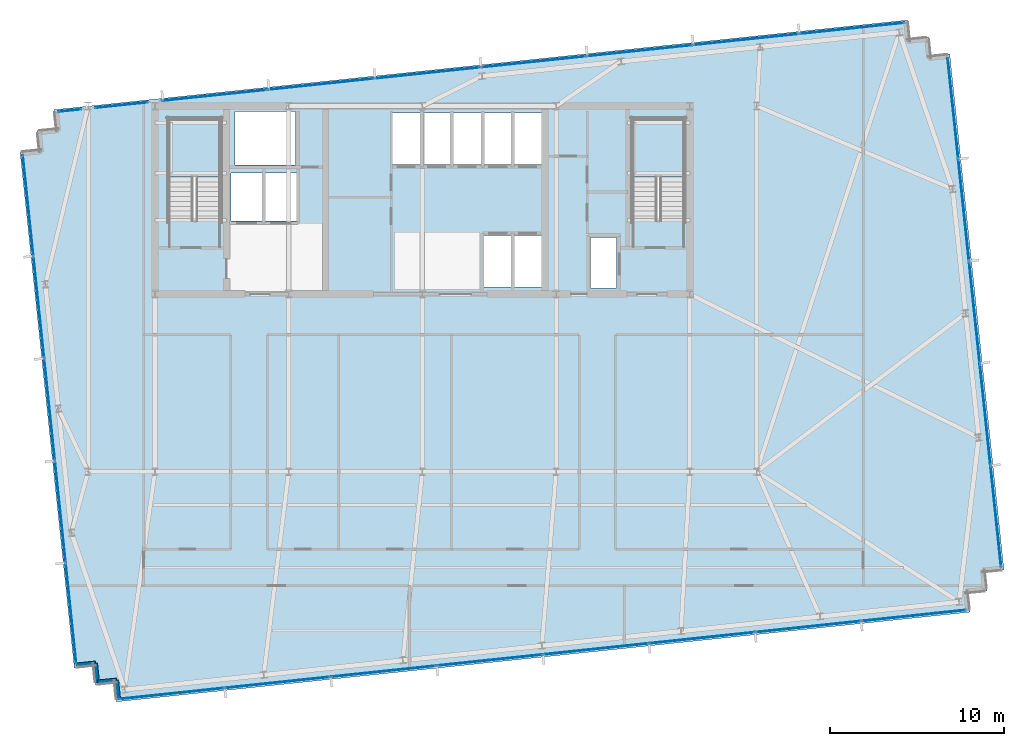
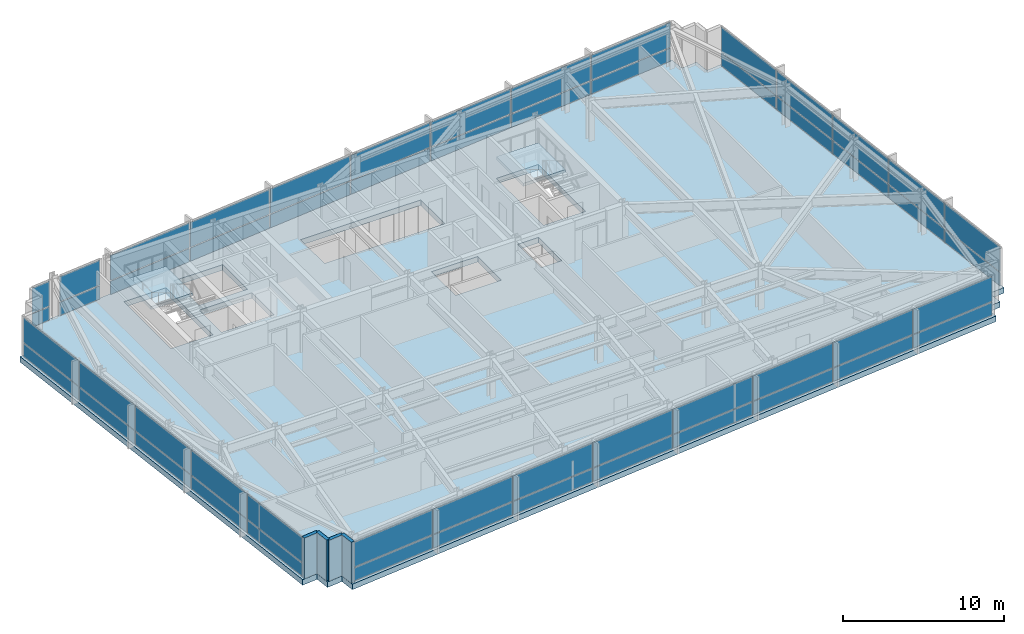
# One storey, part 19 of 26: 54 plates, 4 walls, 3 slabs, 8 elements without a shape of their own.
"""IFC4 building model written with IfcOpenShell, lengths in metres."""

from ifc_helpers import new_model, si_unit, direction, frame, frame_2d, origin, origin_2d, place, context, subcontext, project, spatial, polyline, rectangle, outline, extrude, material, layer, layer_set, type_object, element, aggregate, save


model = new_model("IFC4")

# Units and contexts
model_context = context("Model", 3, precision=1e-05, world=origin(), true_north=direction((0.0, 1.0)))
body_context = subcontext(model_context, "Body", "Model", "MODEL_VIEW")
ifc_project = project(units=[si_unit("LENGTHUNIT", "METRE"), si_unit("AREAUNIT", "SQUARE_METRE"), si_unit("VOLUMEUNIT", "CUBIC_METRE"), si_unit("PLANEANGLEUNIT", "RADIAN"), si_unit("MASSUNIT", "GRAM", prefix="KILO")], contexts=[model_context])

# Site, building, storey
site_placement = place(None, origin())
site = spatial("IfcSite", under=ifc_project, at=site_placement, CompositionType="ELEMENT")
building_placement = place(site_placement, origin())
building = spatial("IfcBuilding", under=site, at=building_placement, Name="Yelkora Congress Tower", CompositionType="ELEMENT")
storey_placement = place(building_placement, frame((0.0, 0.0, 204.5)))
storey = spatial("IfcBuildingStorey", under=building, at=storey_placement, Name="L56", CompositionType="ELEMENT", Elevation=204.5)

# Curtain wall, plates
ifc_material_1 = material(Name="Anodised aluminium and insulated glass", Category="aluminium")
curtain_wall_type = type_object("IfcCurtainWallType", Name="CW-SYS-SKY", PredefinedType="NOTDEFINED", material=ifc_material_1)
curtain_wall_1_placement = place(storey_placement, origin())
curtain_wall_1 = element("IfcCurtainWall", 1, at=curtain_wall_1_placement, inside=storey, type_object=curtain_wall_type, Name="L56 Unitised Curtain Wall 5", PredefinedType="NOTDEFINED")
ifc_material_2 = material(Name="Structural laminated sky-lobby glass", Category="glass")
ifc_layer_1 = layer(ifc_material_2, 0.048095703125)
ifc_layer_set_1 = layer_set([ifc_layer_1], Name="Structural laminated sky-lobby glass")
plate_type = type_object("IfcPlateType", Name="PLT-PN-SKY", PredefinedType="CURTAIN_PANEL", material=ifc_layer_set_1)
plate_1_placement = place(storey_placement, frame((18.216064453125, 17.041015625, 0.06982421875), z_axis=(0.0, 0.0, 1.0), x_axis=(-0.104526079034, 0.994522145958, 0.0)))
plate_1 = element("IfcPlate", 2, at=plate_1_placement, type_object=plate_type, Name="CW-SKY panel 1.1", PredefinedType="CURTAIN_PANEL", context=body_context, shape_type="SweptSolid", body=[
    extrude(rectangle(XDim=5.79150390625, YDim=0.048095703125, at=origin_2d()), origin(), (0.0, 0.0, 1.0), 0.9951171875),
])
plate_2_placement = place(storey_placement, frame((18.216064453125, 17.041015625, 1.135009765625), z_axis=(0.0, 0.0, 1.0), x_axis=(-0.104526079034, 0.994522145958, 0.0)))
plate_2 = element("IfcPlate", 3, at=plate_2_placement, type_object=plate_type, Name="CW-SKY panel 1.2", PredefinedType="CURTAIN_PANEL", context=body_context, shape_type="SweptSolid", body=[
    extrude(rectangle(XDim=5.79150390625, YDim=0.048095703125, at=origin_2d()), origin(), (0.0, 0.0, 1.0), 1.875),
])
plate_3_placement = place(storey_placement, frame((17.60107421875, 22.89404296875, 0.06982421875), z_axis=(0.0, 0.0, 1.0), x_axis=(-0.104526079034, 0.994522145958, 0.0)))
plate_3 = element("IfcPlate", 4, at=plate_3_placement, type_object=plate_type, Name="CW-SKY panel 2.1", PredefinedType="CURTAIN_PANEL", context=body_context, shape_type="SweptSolid", body=[
    extrude(rectangle(XDim=5.8291015625, YDim=0.048095703125, at=origin_2d()), origin(), (0.0, 0.0, 1.0), 0.9951171875),
])
plate_4_placement = place(storey_placement, frame((17.60107421875, 22.89404296875, 1.135009765625), z_axis=(0.0, 0.0, 1.0), x_axis=(-0.104526079034, 0.994522145958, 0.0)))
plate_4 = element("IfcPlate", 5, at=plate_4_placement, type_object=plate_type, Name="CW-SKY panel 2.2", PredefinedType="CURTAIN_PANEL", context=body_context, shape_type="SweptSolid", body=[
    extrude(rectangle(XDim=5.8291015625, YDim=0.048095703125, at=origin_2d()), origin(), (0.0, 0.0, 1.0), 1.875),
])
plate_5_placement = place(storey_placement, frame((16.98388671875, 28.765625, 0.06982421875), z_axis=(0.0, 0.0, 1.0), x_axis=(-0.104526079034, 0.994522145958, 0.0)))
plate_5 = element("IfcPlate", 6, at=plate_5_placement, type_object=plate_type, Name="CW-SKY panel 3.1", PredefinedType="CURTAIN_PANEL", context=body_context, shape_type="SweptSolid", body=[
    extrude(rectangle(XDim=5.8291015625, YDim=0.048095703125, at=origin_2d()), origin(), (0.0, 0.0, 1.0), 0.9951171875),
])
plate_6_placement = place(storey_placement, frame((16.98388671875, 28.765625, 1.135009765625), z_axis=(0.0, 0.0, 1.0), x_axis=(-0.104526079034, 0.994522145958, 0.0)))
plate_6 = element("IfcPlate", 7, at=plate_6_placement, type_object=plate_type, Name="CW-SKY panel 3.2", PredefinedType="CURTAIN_PANEL", context=body_context, shape_type="SweptSolid", body=[
    extrude(rectangle(XDim=5.8291015625, YDim=0.048095703125, at=origin_2d()), origin(), (0.0, 0.0, 1.0), 1.875),
])
plate_7_placement = place(storey_placement, frame((16.36669921875, 34.63720703125, 0.06982421875), z_axis=(0.0, 0.0, 1.0), x_axis=(-0.104526079034, 0.994522145958, 0.0)))
plate_7 = element("IfcPlate", 8, at=plate_7_placement, type_object=plate_type, Name="CW-SKY panel 4.1", PredefinedType="CURTAIN_PANEL", context=body_context, shape_type="SweptSolid", body=[
    extrude(rectangle(XDim=5.8291015625, YDim=0.048095703125, at=origin_2d()), origin(), (0.0, 0.0, 1.0), 0.9951171875),
])
plate_8_placement = place(storey_placement, frame((16.36669921875, 34.63720703125, 1.135009765625), z_axis=(0.0, 0.0, 1.0), x_axis=(-0.104526079034, 0.994522145958, 0.0)))
plate_8 = element("IfcPlate", 9, at=plate_8_placement, type_object=plate_type, Name="CW-SKY panel 4.2", PredefinedType="CURTAIN_PANEL", context=body_context, shape_type="SweptSolid", body=[
    extrude(rectangle(XDim=5.8291015625, YDim=0.048095703125, at=origin_2d()), origin(), (0.0, 0.0, 1.0), 1.875),
])
plate_9_placement = place(storey_placement, frame((15.751708984375, 40.490234375, 0.06982421875), z_axis=(0.0, 0.0, 1.0), x_axis=(-0.104526079034, 0.994522145958, 0.0)))
plate_9 = element("IfcPlate", 10, at=plate_9_placement, type_object=plate_type, Name="CW-SKY panel 5.1", PredefinedType="CURTAIN_PANEL", context=body_context, shape_type="SweptSolid", body=[
    extrude(rectangle(XDim=5.79150390625, YDim=0.048095703125, at=origin_2d()), origin(), (0.0, 0.0, 1.0), 0.9951171875),
])
plate_10_placement = place(storey_placement, frame((15.751708984375, 40.490234375, 1.135009765625), z_axis=(0.0, 0.0, 1.0), x_axis=(-0.104526079034, 0.994522145958, 0.0)))
plate_10 = element("IfcPlate", 11, at=plate_10_placement, type_object=plate_type, Name="CW-SKY panel 5.2", PredefinedType="CURTAIN_PANEL", context=body_context, shape_type="SweptSolid", body=[
    extrude(rectangle(XDim=5.79150390625, YDim=0.048095703125, at=origin_2d()), origin(), (0.0, 0.0, 1.0), 1.875),
])
aggregate(curtain_wall_1, [plate_1, plate_2, plate_3, plate_4, plate_5, plate_6, plate_7, plate_8, plate_9, plate_10])

curtain_wall_2_placement = place(storey_placement, origin())
curtain_wall_2 = element("IfcCurtainWall", 12, at=curtain_wall_2_placement, inside=storey, type_object=curtain_wall_type, Name="L56 Unitised Curtain Wall 10 (1)", PredefinedType="NOTDEFINED")
plate_11_placement = place(storey_placement, frame((18.135009765625, 45.93994140625, 0.06982421875), z_axis=(0.0, 0.0, 1.0), x_axis=(0.994522838892, 0.104519485853, 0.0)))
plate_11 = element("IfcPlate", 13, at=plate_11_placement, type_object=plate_type, Name="CW-SKY panel 1.1", PredefinedType="CURTAIN_PANEL", context=body_context, shape_type="SweptSolid", body=[
    extrude(rectangle(XDim=1.330078125, YDim=0.048095703125, at=origin_2d()), origin(), (0.0, 0.0, 1.0), 0.9951171875),
])
plate_12_placement = place(storey_placement, frame((18.135009765625, 45.93994140625, 1.135009765625), z_axis=(0.0, 0.0, 1.0), x_axis=(0.994522838892, 0.104519485853, 0.0)))
plate_12 = element("IfcPlate", 14, at=plate_12_placement, type_object=plate_type, Name="CW-SKY panel 1.2", PredefinedType="CURTAIN_PANEL", context=body_context, shape_type="SweptSolid", body=[
    extrude(rectangle(XDim=1.330078125, YDim=0.048095703125, at=origin_2d()), origin(), (0.0, 0.0, 1.0), 1.875),
])
aggregate(curtain_wall_2, [plate_11, plate_12])

curtain_wall_3_placement = place(storey_placement, origin())
curtain_wall_3 = element("IfcCurtainWall", 15, at=curtain_wall_3_placement, inside=storey, type_object=curtain_wall_type, Name="L56 Unitised Curtain Wall 10 (2)", PredefinedType="NOTDEFINED")
plate_13_placement = place(storey_placement, frame((21.1201171875, 46.253662109375, 0.06982421875), z_axis=(0.0, 0.0, 1.0), x_axis=(0.994523249402, 0.104515579693, 0.0)))
plate_13 = element("IfcPlate", 16, at=plate_13_placement, type_object=plate_type, Name="CW-SKY panel 1.1", PredefinedType="CURTAIN_PANEL", context=body_context, shape_type="SweptSolid", body=[
    extrude(rectangle(XDim=3.049560546875, YDim=0.048095703125, at=origin_2d()), origin(), (0.0, 0.0, 1.0), 0.9951171875),
])
plate_14_placement = place(storey_placement, frame((21.1201171875, 46.253662109375, 1.135009765625), z_axis=(0.0, 0.0, 1.0), x_axis=(0.994523249402, 0.104515579693, 0.0)))
plate_14 = element("IfcPlate", 17, at=plate_14_placement, type_object=plate_type, Name="CW-SKY panel 1.2", PredefinedType="CURTAIN_PANEL", context=body_context, shape_type="SweptSolid", body=[
    extrude(rectangle(XDim=3.049560546875, YDim=0.048095703125, at=origin_2d()), origin(), (0.0, 0.0, 1.0), 1.875),
])
aggregate(curtain_wall_3, [plate_13, plate_14])

curtain_wall_4_placement = place(storey_placement, origin())
curtain_wall_4 = element("IfcCurtainWall", 18, at=curtain_wall_4_placement, inside=storey, type_object=curtain_wall_type, Name="L56 Unitised Curtain Wall 10 (3)", PredefinedType="NOTDEFINED")
plate_15_placement = place(storey_placement, frame((26.443359375, 46.813232421875, 0.06982421875), z_axis=(0.0, 0.0, 1.0), x_axis=(0.994521936066, 0.104528076052, 0.0)))
plate_15 = element("IfcPlate", 19, at=plate_15_placement, type_object=plate_type, Name="CW-SKY panel 1.1", PredefinedType="CURTAIN_PANEL", context=body_context, shape_type="SweptSolid", body=[
    extrude(rectangle(XDim=6.03271484375, YDim=0.048095703125, at=origin_2d()), origin(), (0.0, 0.0, 1.0), 0.9951171875),
])
plate_16_placement = place(storey_placement, frame((26.443359375, 46.813232421875, 1.135009765625), z_axis=(0.0, 0.0, 1.0), x_axis=(0.994521936066, 0.104528076052, 0.0)))
plate_16 = element("IfcPlate", 20, at=plate_16_placement, type_object=plate_type, Name="CW-SKY panel 1.2", PredefinedType="CURTAIN_PANEL", context=body_context, shape_type="SweptSolid", body=[
    extrude(rectangle(XDim=6.03271484375, YDim=0.048095703125, at=origin_2d()), origin(), (0.0, 0.0, 1.0), 1.875),
])
plate_17_placement = place(storey_placement, frame((32.536376953125, 47.45361328125, 0.06982421875), z_axis=(0.0, 0.0, 1.0), x_axis=(0.994521936066, 0.104528076052, 0.0)))
plate_17 = element("IfcPlate", 21, at=plate_17_placement, type_object=plate_type, Name="CW-SKY panel 2.1", PredefinedType="CURTAIN_PANEL", context=body_context, shape_type="SweptSolid", body=[
    extrude(rectangle(XDim=6.0703125, YDim=0.048095703125, at=origin_2d()), origin(), (0.0, 0.0, 1.0), 0.9951171875),
])
plate_18_placement = place(storey_placement, frame((32.536376953125, 47.45361328125, 1.135009765625), z_axis=(0.0, 0.0, 1.0), x_axis=(0.994521936066, 0.104528076052, 0.0)))
plate_18 = element("IfcPlate", 22, at=plate_18_placement, type_object=plate_type, Name="CW-SKY panel 2.2", PredefinedType="CURTAIN_PANEL", context=body_context, shape_type="SweptSolid", body=[
    extrude(rectangle(XDim=6.0703125, YDim=0.048095703125, at=origin_2d()), origin(), (0.0, 0.0, 1.0), 1.875),
])
plate_19_placement = place(storey_placement, frame((38.648193359375, 48.095947265625, 0.06982421875), z_axis=(0.0, 0.0, 1.0), x_axis=(0.994521936066, 0.104528076052, 0.0)))
plate_19 = element("IfcPlate", 23, at=plate_19_placement, type_object=plate_type, Name="CW-SKY panel 3.1", PredefinedType="CURTAIN_PANEL", context=body_context, shape_type="SweptSolid", body=[
    extrude(rectangle(XDim=6.0703125, YDim=0.048095703125, at=origin_2d()), origin(), (0.0, 0.0, 1.0), 0.9951171875),
])
plate_20_placement = place(storey_placement, frame((38.648193359375, 48.095947265625, 1.135009765625), z_axis=(0.0, 0.0, 1.0), x_axis=(0.994521936066, 0.104528076052, 0.0)))
plate_20 = element("IfcPlate", 24, at=plate_20_placement, type_object=plate_type, Name="CW-SKY panel 3.2", PredefinedType="CURTAIN_PANEL", context=body_context, shape_type="SweptSolid", body=[
    extrude(rectangle(XDim=6.0703125, YDim=0.048095703125, at=origin_2d()), origin(), (0.0, 0.0, 1.0), 1.875),
])
plate_21_placement = place(storey_placement, frame((44.759765625, 48.73828125, 0.06982421875), z_axis=(0.0, 0.0, 1.0), x_axis=(0.994521936066, 0.104528076052, 0.0)))
plate_21 = element("IfcPlate", 25, at=plate_21_placement, type_object=plate_type, Name="CW-SKY panel 4.1", PredefinedType="CURTAIN_PANEL", context=body_context, shape_type="SweptSolid", body=[
    extrude(rectangle(XDim=6.0703125, YDim=0.048095703125, at=origin_2d()), origin(), (0.0, 0.0, 1.0), 0.9951171875),
])
plate_22_placement = place(storey_placement, frame((44.759765625, 48.73828125, 1.135009765625), z_axis=(0.0, 0.0, 1.0), x_axis=(0.994521936066, 0.104528076052, 0.0)))
plate_22 = element("IfcPlate", 26, at=plate_22_placement, type_object=plate_type, Name="CW-SKY panel 4.2", PredefinedType="CURTAIN_PANEL", context=body_context, shape_type="SweptSolid", body=[
    extrude(rectangle(XDim=6.0703125, YDim=0.048095703125, at=origin_2d()), origin(), (0.0, 0.0, 1.0), 1.875),
])
plate_23_placement = place(storey_placement, frame((50.871337890625, 49.380615234375, 0.06982421875), z_axis=(0.0, 0.0, 1.0), x_axis=(0.994521936066, 0.104528076052, 0.0)))
plate_23 = element("IfcPlate", 27, at=plate_23_placement, type_object=plate_type, Name="CW-SKY panel 5.1", PredefinedType="CURTAIN_PANEL", context=body_context, shape_type="SweptSolid", body=[
    extrude(rectangle(XDim=6.0703125, YDim=0.048095703125, at=origin_2d()), origin(), (0.0, 0.0, 1.0), 0.9951171875),
])
plate_24_placement = place(storey_placement, frame((50.871337890625, 49.380615234375, 1.135009765625), z_axis=(0.0, 0.0, 1.0), x_axis=(0.994521936066, 0.104528076052, 0.0)))
plate_24 = element("IfcPlate", 28, at=plate_24_placement, type_object=plate_type, Name="CW-SKY panel 5.2", PredefinedType="CURTAIN_PANEL", context=body_context, shape_type="SweptSolid", body=[
    extrude(rectangle(XDim=6.0703125, YDim=0.048095703125, at=origin_2d()), origin(), (0.0, 0.0, 1.0), 1.875),
])
plate_25_placement = place(storey_placement, frame((56.983154296875, 50.02294921875, 0.06982421875), z_axis=(0.0, 0.0, 1.0), x_axis=(0.994521936066, 0.104528076052, 0.0)))
plate_25 = element("IfcPlate", 29, at=plate_25_placement, type_object=plate_type, Name="CW-SKY panel 6.1", PredefinedType="CURTAIN_PANEL", context=body_context, shape_type="SweptSolid", body=[
    extrude(rectangle(XDim=6.0703125, YDim=0.048095703125, at=origin_2d()), origin(), (0.0, 0.0, 1.0), 0.9951171875),
])
plate_26_placement = place(storey_placement, frame((56.983154296875, 50.02294921875, 1.135009765625), z_axis=(0.0, 0.0, 1.0), x_axis=(0.994521936066, 0.104528076052, 0.0)))
plate_26 = element("IfcPlate", 30, at=plate_26_placement, type_object=plate_type, Name="CW-SKY panel 6.2", PredefinedType="CURTAIN_PANEL", context=body_context, shape_type="SweptSolid", body=[
    extrude(rectangle(XDim=6.0703125, YDim=0.048095703125, at=origin_2d()), origin(), (0.0, 0.0, 1.0), 1.875),
])
plate_27_placement = place(storey_placement, frame((63.075927734375, 50.66357421875, 0.06982421875), z_axis=(0.0, 0.0, 1.0), x_axis=(0.994521936066, 0.104528076052, 0.0)))
plate_27 = element("IfcPlate", 31, at=plate_27_placement, type_object=plate_type, Name="CW-SKY panel 7.1", PredefinedType="CURTAIN_PANEL", context=body_context, shape_type="SweptSolid", body=[
    extrude(rectangle(XDim=6.03271484375, YDim=0.048095703125, at=origin_2d()), origin(), (0.0, 0.0, 1.0), 0.9951171875),
])
plate_28_placement = place(storey_placement, frame((63.075927734375, 50.66357421875, 1.135009765625), z_axis=(0.0, 0.0, 1.0), x_axis=(0.994521936066, 0.104528076052, 0.0)))
plate_28 = element("IfcPlate", 32, at=plate_28_placement, type_object=plate_type, Name="CW-SKY panel 7.2", PredefinedType="CURTAIN_PANEL", context=body_context, shape_type="SweptSolid", body=[
    extrude(rectangle(XDim=6.03271484375, YDim=0.048095703125, at=origin_2d()), origin(), (0.0, 0.0, 1.0), 1.875),
])
aggregate(curtain_wall_4, [plate_15, plate_16, plate_17, plate_18, plate_19, plate_20, plate_21, plate_22, plate_23, plate_24, plate_25, plate_26, plate_27, plate_28])

curtain_wall_5_placement = place(storey_placement, origin())
curtain_wall_5 = element("IfcCurtainWall", 33, at=curtain_wall_5_placement, inside=storey, type_object=curtain_wall_type, Name="L56 Unitised Curtain Wall 15", PredefinedType="NOTDEFINED")
plate_29_placement = place(storey_placement, frame((68.87890625, 46.07421875, 0.06982421875), z_axis=(0.0, 0.0, 1.0), x_axis=(0.104525726898, -0.994522182968, 0.0)))
plate_29 = element("IfcPlate", 34, at=plate_29_placement, type_object=plate_type, Name="CW-SKY panel 1.1", PredefinedType="CURTAIN_PANEL", context=body_context, shape_type="SweptSolid", body=[
    extrude(rectangle(XDim=5.79150390625, YDim=0.048095703125, at=origin_2d()), origin(), (0.0, 0.0, 1.0), 0.9951171875),
])
plate_30_placement = place(storey_placement, frame((68.87890625, 46.07421875, 1.135009765625), z_axis=(0.0, 0.0, 1.0), x_axis=(0.104525726898, -0.994522182968, 0.0)))
plate_30 = element("IfcPlate", 35, at=plate_30_placement, type_object=plate_type, Name="CW-SKY panel 1.2", PredefinedType="CURTAIN_PANEL", context=body_context, shape_type="SweptSolid", body=[
    extrude(rectangle(XDim=5.79150390625, YDim=0.048095703125, at=origin_2d()), origin(), (0.0, 0.0, 1.0), 1.875),
])
plate_31_placement = place(storey_placement, frame((69.494140625, 40.22119140625, 0.06982421875), z_axis=(0.0, 0.0, 1.0), x_axis=(0.104525726898, -0.994522182968, 0.0)))
plate_31 = element("IfcPlate", 36, at=plate_31_placement, type_object=plate_type, Name="CW-SKY panel 2.1", PredefinedType="CURTAIN_PANEL", context=body_context, shape_type="SweptSolid", body=[
    extrude(rectangle(XDim=5.8291015625, YDim=0.048095703125, at=origin_2d()), origin(), (0.0, 0.0, 1.0), 0.9951171875),
])
plate_32_placement = place(storey_placement, frame((69.494140625, 40.22119140625, 1.135009765625), z_axis=(0.0, 0.0, 1.0), x_axis=(0.104525726898, -0.994522182968, 0.0)))
plate_32 = element("IfcPlate", 37, at=plate_32_placement, type_object=plate_type, Name="CW-SKY panel 2.2", PredefinedType="CURTAIN_PANEL", context=body_context, shape_type="SweptSolid", body=[
    extrude(rectangle(XDim=5.8291015625, YDim=0.048095703125, at=origin_2d()), origin(), (0.0, 0.0, 1.0), 1.875),
])
plate_33_placement = place(storey_placement, frame((70.111083984375, 34.349365234375, 0.06982421875), z_axis=(0.0, 0.0, 1.0), x_axis=(0.104525726898, -0.994522182968, 0.0)))
plate_33 = element("IfcPlate", 38, at=plate_33_placement, type_object=plate_type, Name="CW-SKY panel 3.1", PredefinedType="CURTAIN_PANEL", context=body_context, shape_type="SweptSolid", body=[
    extrude(rectangle(XDim=5.8291015625, YDim=0.048095703125, at=origin_2d()), origin(), (0.0, 0.0, 1.0), 0.9951171875),
])
plate_34_placement = place(storey_placement, frame((70.111083984375, 34.349365234375, 1.135009765625), z_axis=(0.0, 0.0, 1.0), x_axis=(0.104525726898, -0.994522182968, 0.0)))
plate_34 = element("IfcPlate", 39, at=plate_34_placement, type_object=plate_type, Name="CW-SKY panel 3.2", PredefinedType="CURTAIN_PANEL", context=body_context, shape_type="SweptSolid", body=[
    extrude(rectangle(XDim=5.8291015625, YDim=0.048095703125, at=origin_2d()), origin(), (0.0, 0.0, 1.0), 1.875),
])
plate_35_placement = place(storey_placement, frame((70.728271484375, 28.477783203125, 0.06982421875), z_axis=(0.0, 0.0, 1.0), x_axis=(0.104525726898, -0.994522182968, 0.0)))
plate_35 = element("IfcPlate", 40, at=plate_35_placement, type_object=plate_type, Name="CW-SKY panel 4.1", PredefinedType="CURTAIN_PANEL", context=body_context, shape_type="SweptSolid", body=[
    extrude(rectangle(XDim=5.8291015625, YDim=0.048095703125, at=origin_2d()), origin(), (0.0, 0.0, 1.0), 0.9951171875),
])
plate_36_placement = place(storey_placement, frame((70.728271484375, 28.477783203125, 1.135009765625), z_axis=(0.0, 0.0, 1.0), x_axis=(0.104525726898, -0.994522182968, 0.0)))
plate_36 = element("IfcPlate", 41, at=plate_36_placement, type_object=plate_type, Name="CW-SKY panel 4.2", PredefinedType="CURTAIN_PANEL", context=body_context, shape_type="SweptSolid", body=[
    extrude(rectangle(XDim=5.8291015625, YDim=0.048095703125, at=origin_2d()), origin(), (0.0, 0.0, 1.0), 1.875),
])
plate_37_placement = place(storey_placement, frame((71.343505859375, 22.624755859375, 0.06982421875), z_axis=(0.0, 0.0, 1.0), x_axis=(0.104525726898, -0.994522182968, 0.0)))
plate_37 = element("IfcPlate", 42, at=plate_37_placement, type_object=plate_type, Name="CW-SKY panel 5.1", PredefinedType="CURTAIN_PANEL", context=body_context, shape_type="SweptSolid", body=[
    extrude(rectangle(XDim=5.79150390625, YDim=0.048095703125, at=origin_2d()), origin(), (0.0, 0.0, 1.0), 0.9951171875),
])
plate_38_placement = place(storey_placement, frame((71.343505859375, 22.624755859375, 1.135009765625), z_axis=(0.0, 0.0, 1.0), x_axis=(0.104525726898, -0.994522182968, 0.0)))
plate_38 = element("IfcPlate", 43, at=plate_38_placement, type_object=plate_type, Name="CW-SKY panel 5.2", PredefinedType="CURTAIN_PANEL", context=body_context, shape_type="SweptSolid", body=[
    extrude(rectangle(XDim=5.79150390625, YDim=0.048095703125, at=origin_2d()), origin(), (0.0, 0.0, 1.0), 1.875),
])
aggregate(curtain_wall_5, [plate_29, plate_30, plate_31, plate_32, plate_33, plate_34, plate_35, plate_36, plate_37, plate_38])

curtain_wall_6_placement = place(storey_placement, origin())
curtain_wall_6 = element("IfcCurtainWall", 44, at=curtain_wall_6_placement, inside=storey, type_object=curtain_wall_type, Name="L56 Unitised Curtain Wall 20", PredefinedType="NOTDEFINED")
plate_39_placement = place(storey_placement, frame((66.63037109375, 16.93017578125, 0.06982421875), z_axis=(0.0, 0.0, 1.0), x_axis=(-0.994522084373, -0.104526664994, 0.0)))
plate_39 = element("IfcPlate", 45, at=plate_39_placement, type_object=plate_type, Name="CW-SKY panel 1.1", PredefinedType="CURTAIN_PANEL", context=body_context, shape_type="SweptSolid", body=[
    extrude(rectangle(XDim=6.014892578125, YDim=0.048095703125, at=origin_2d()), origin(), (0.0, 0.0, 1.0), 0.9951171875),
])
plate_40_placement = place(storey_placement, frame((66.63037109375, 16.93017578125, 1.135009765625), z_axis=(0.0, 0.0, 1.0), x_axis=(-0.994522084373, -0.104526664994, 0.0)))
plate_40 = element("IfcPlate", 46, at=plate_40_placement, type_object=plate_type, Name="CW-SKY panel 1.2", PredefinedType="CURTAIN_PANEL", context=body_context, shape_type="SweptSolid", body=[
    extrude(rectangle(XDim=6.014892578125, YDim=0.048095703125, at=origin_2d()), origin(), (0.0, 0.0, 1.0), 1.875),
])
plate_41_placement = place(storey_placement, frame((60.55517578125, 16.291748046875, 0.06982421875), z_axis=(0.0, 0.0, 1.0), x_axis=(-0.994522084373, -0.104526664994, 0.0)))
plate_41 = element("IfcPlate", 47, at=plate_41_placement, type_object=plate_type, Name="CW-SKY panel 2.1", PredefinedType="CURTAIN_PANEL", context=body_context, shape_type="SweptSolid", body=[
    extrude(rectangle(XDim=6.052490234375, YDim=0.048095703125, at=origin_2d()), origin(), (0.0, 0.0, 1.0), 0.9951171875),
])
plate_42_placement = place(storey_placement, frame((60.55517578125, 16.291748046875, 1.135009765625), z_axis=(0.0, 0.0, 1.0), x_axis=(-0.994522084373, -0.104526664994, 0.0)))
plate_42 = element("IfcPlate", 48, at=plate_42_placement, type_object=plate_type, Name="CW-SKY panel 2.2", PredefinedType="CURTAIN_PANEL", context=body_context, shape_type="SweptSolid", body=[
    extrude(rectangle(XDim=6.052490234375, YDim=0.048095703125, at=origin_2d()), origin(), (0.0, 0.0, 1.0), 1.875),
])
plate_43_placement = place(storey_placement, frame((54.461181640625, 15.651123046875, 0.06982421875), z_axis=(0.0, 0.0, 1.0), x_axis=(-0.994522084373, -0.104526664994, 0.0)))
plate_43 = element("IfcPlate", 49, at=plate_43_placement, type_object=plate_type, Name="CW-SKY panel 3.1", PredefinedType="CURTAIN_PANEL", context=body_context, shape_type="SweptSolid", body=[
    extrude(rectangle(XDim=6.052490234375, YDim=0.048095703125, at=origin_2d()), origin(), (0.0, 0.0, 1.0), 0.9951171875),
])
plate_44_placement = place(storey_placement, frame((54.461181640625, 15.651123046875, 1.135009765625), z_axis=(0.0, 0.0, 1.0), x_axis=(-0.994522084373, -0.104526664994, 0.0)))
plate_44 = element("IfcPlate", 50, at=plate_44_placement, type_object=plate_type, Name="CW-SKY panel 3.2", PredefinedType="CURTAIN_PANEL", context=body_context, shape_type="SweptSolid", body=[
    extrude(rectangle(XDim=6.052490234375, YDim=0.048095703125, at=origin_2d()), origin(), (0.0, 0.0, 1.0), 1.875),
])
plate_45_placement = place(storey_placement, frame((48.367431640625, 15.0107421875, 0.06982421875), z_axis=(0.0, 0.0, 1.0), x_axis=(-0.994522084373, -0.104526664994, 0.0)))
plate_45 = element("IfcPlate", 51, at=plate_45_placement, type_object=plate_type, Name="CW-SKY panel 4.1", PredefinedType="CURTAIN_PANEL", context=body_context, shape_type="SweptSolid", body=[
    extrude(rectangle(XDim=6.052490234375, YDim=0.048095703125, at=origin_2d()), origin(), (0.0, 0.0, 1.0), 0.9951171875),
])
plate_46_placement = place(storey_placement, frame((48.367431640625, 15.0107421875, 1.135009765625), z_axis=(0.0, 0.0, 1.0), x_axis=(-0.994522084373, -0.104526664994, 0.0)))
plate_46 = element("IfcPlate", 52, at=plate_46_placement, type_object=plate_type, Name="CW-SKY panel 4.2", PredefinedType="CURTAIN_PANEL", context=body_context, shape_type="SweptSolid", body=[
    extrude(rectangle(XDim=6.052490234375, YDim=0.048095703125, at=origin_2d()), origin(), (0.0, 0.0, 1.0), 1.875),
])
plate_47_placement = place(storey_placement, frame((42.2734375, 14.3701171875, 0.06982421875), z_axis=(0.0, 0.0, 1.0), x_axis=(-0.994522084373, -0.104526664994, 0.0)))
plate_47 = element("IfcPlate", 53, at=plate_47_placement, type_object=plate_type, Name="CW-SKY panel 5.1", PredefinedType="CURTAIN_PANEL", context=body_context, shape_type="SweptSolid", body=[
    extrude(rectangle(XDim=6.052490234375, YDim=0.048095703125, at=origin_2d()), origin(), (0.0, 0.0, 1.0), 0.9951171875),
])
plate_48_placement = place(storey_placement, frame((42.2734375, 14.3701171875, 1.135009765625), z_axis=(0.0, 0.0, 1.0), x_axis=(-0.994522084373, -0.104526664994, 0.0)))
plate_48 = element("IfcPlate", 54, at=plate_48_placement, type_object=plate_type, Name="CW-SKY panel 5.2", PredefinedType="CURTAIN_PANEL", context=body_context, shape_type="SweptSolid", body=[
    extrude(rectangle(XDim=6.052490234375, YDim=0.048095703125, at=origin_2d()), origin(), (0.0, 0.0, 1.0), 1.875),
])
plate_49_placement = place(storey_placement, frame((36.179443359375, 13.729736328125, 0.06982421875), z_axis=(0.0, 0.0, 1.0), x_axis=(-0.994522084373, -0.104526664994, 0.0)))
plate_49 = element("IfcPlate", 55, at=plate_49_placement, type_object=plate_type, Name="CW-SKY panel 6.1", PredefinedType="CURTAIN_PANEL", context=body_context, shape_type="SweptSolid", body=[
    extrude(rectangle(XDim=6.052490234375, YDim=0.048095703125, at=origin_2d()), origin(), (0.0, 0.0, 1.0), 0.9951171875),
])
plate_50_placement = place(storey_placement, frame((36.179443359375, 13.729736328125, 1.135009765625), z_axis=(0.0, 0.0, 1.0), x_axis=(-0.994522084373, -0.104526664994, 0.0)))
plate_50 = element("IfcPlate", 56, at=plate_50_placement, type_object=plate_type, Name="CW-SKY panel 6.2", PredefinedType="CURTAIN_PANEL", context=body_context, shape_type="SweptSolid", body=[
    extrude(rectangle(XDim=6.052490234375, YDim=0.048095703125, at=origin_2d()), origin(), (0.0, 0.0, 1.0), 1.875),
])
plate_51_placement = place(storey_placement, frame((30.08544921875, 13.089111328125, 0.06982421875), z_axis=(0.0, 0.0, 1.0), x_axis=(-0.994522084373, -0.104526664994, 0.0)))
plate_51 = element("IfcPlate", 57, at=plate_51_placement, type_object=plate_type, Name="CW-SKY panel 7.1", PredefinedType="CURTAIN_PANEL", context=body_context, shape_type="SweptSolid", body=[
    extrude(rectangle(XDim=6.052490234375, YDim=0.048095703125, at=origin_2d()), origin(), (0.0, 0.0, 1.0), 0.9951171875),
])
plate_52_placement = place(storey_placement, frame((30.08544921875, 13.089111328125, 1.135009765625), z_axis=(0.0, 0.0, 1.0), x_axis=(-0.994522084373, -0.104526664994, 0.0)))
plate_52 = element("IfcPlate", 58, at=plate_52_placement, type_object=plate_type, Name="CW-SKY panel 7.2", PredefinedType="CURTAIN_PANEL", context=body_context, shape_type="SweptSolid", body=[
    extrude(rectangle(XDim=6.052490234375, YDim=0.048095703125, at=origin_2d()), origin(), (0.0, 0.0, 1.0), 1.875),
])
plate_53_placement = place(storey_placement, frame((24.01025390625, 12.45068359375, 0.06982421875), z_axis=(0.0, 0.0, 1.0), x_axis=(-0.994522084373, -0.104526664994, 0.0)))
plate_53 = element("IfcPlate", 59, at=plate_53_placement, type_object=plate_type, Name="CW-SKY panel 8.1", PredefinedType="CURTAIN_PANEL", context=body_context, shape_type="SweptSolid", body=[
    extrude(rectangle(XDim=6.014892578125, YDim=0.048095703125, at=origin_2d()), origin(), (0.0, 0.0, 1.0), 0.9951171875),
])
plate_54_placement = place(storey_placement, frame((24.01025390625, 12.45068359375, 1.135009765625), z_axis=(0.0, 0.0, 1.0), x_axis=(-0.994522084373, -0.104526664994, 0.0)))
plate_54 = element("IfcPlate", 60, at=plate_54_placement, type_object=plate_type, Name="CW-SKY panel 8.2", PredefinedType="CURTAIN_PANEL", context=body_context, shape_type="SweptSolid", body=[
    extrude(rectangle(XDim=6.014892578125, YDim=0.048095703125, at=origin_2d()), origin(), (0.0, 0.0, 1.0), 1.875),
])
aggregate(curtain_wall_6, [plate_39, plate_40, plate_41, plate_42, plate_43, plate_44, plate_45, plate_46, plate_47, plate_48, plate_49, plate_50, plate_51, plate_52, plate_53, plate_54])

# Stair, slab
ifc_material_3 = material(Name="Concrete C40/50", Category="concrete")
stair_type = type_object("IfcStairType", Name="STAIR-HT-1420-R20-165", PredefinedType="HALF_TURN_STAIR", material=ifc_material_3)
stair_1_placement = place(storey_placement, origin())
stair_1 = element("IfcStair", 61, at=stair_1_placement, inside=storey, type_object=stair_type, Name="West Core Protected Exit Stair ST-01 (L56)", PredefinedType="HALF_TURN_STAIR")
ifc_layer_2 = layer(ifc_material_3, 0.219970703125)
ifc_layer_set_2 = layer_set([ifc_layer_2], Name="Concrete C40/50")
slab_type_1 = type_object("IfcSlabType", Name="SLAB-LANDING-220", PredefinedType="LANDING", material=ifc_layer_set_2)
slab_1_placement = place(storey_placement, frame((0.0, 0.0, 1.429931640625)))
slab_1 = element("IfcSlab", 62, at=slab_1_placement, type_object=slab_type_1, Name="ST-01 L56 Half Landing 1", PredefinedType="LANDING", context=body_context, shape_type="SweptSolid", body=[
    extrude(outline(polyline([(26.820068359375, 42.1201171875), (26.820068359375, 45.469970703125), (23.820068359375, 45.469970703125), (23.820068359375, 42.1201171875), (26.820068359375, 42.1201171875)])), origin(), (0.0, 0.0, 1.0), 0.219970703125),
])
aggregate(stair_1, [slab_1])

stair_2_placement = place(storey_placement, origin())
stair_2 = element("IfcStair", 63, at=stair_2_placement, inside=storey, type_object=stair_type, Name="East Core Protected Exit Stair ST-02 (L56)", PredefinedType="HALF_TURN_STAIR")
slab_2_placement = place(storey_placement, frame((0.0, 0.0, 1.429931640625)))
slab_2 = element("IfcSlab", 64, at=slab_2_placement, type_object=slab_type_1, Name="ST-02 L56 Half Landing 1", PredefinedType="LANDING", context=body_context, shape_type="SweptSolid", body=[
    extrude(outline(polyline([(53.4599609375, 42.1201171875), (53.4599609375, 45.469970703125), (50.4599609375, 45.469970703125), (50.4599609375, 42.1201171875), (53.4599609375, 42.1201171875)])), origin(), (0.0, 0.0, 1.0), 0.219970703125),
])
aggregate(stair_2, [slab_2])

# Slab
ifc_material_4 = material(Name="Concrete C60/75", Category="concrete")
ifc_layer_3 = layer(ifc_material_4, 0.419921875)
ifc_layer_set_3 = layer_set([ifc_layer_3], Name="Concrete C60/75")
slab_type_2 = type_object("IfcSlabType", Name="SLAB-XFER-420", PredefinedType="FLOOR", material=ifc_layer_set_3)
slab_3_placement = place(storey_placement, frame((0.0, 0.0, -0.419921875)))
element("IfcSlab", 65, at=slab_3_placement, inside=storey, type_object=slab_type_2, Name="L56 Structural Floor Slab", PredefinedType="FLOOR", context=body_context, shape_type="SweptSolid", body=[
    extrude(outline(polyline([(20.820068359375, 11.974609375), (69.85009765625, 17.127685546875), (69.735107421875, 18.2216796875), (70.828857421875, 18.3369140625), (70.714111328125, 19.430908203125), (71.807861328125, 19.545654296875), (68.693115234375, 49.1826171875), (67.59912109375, 49.0673828125), (67.48388671875, 50.16162109375), (66.39013671875, 50.04638671875), (66.275146484375, 51.140380859375), (17.2451171875, 45.9873046875), (17.360107421875, 44.893310546875), (16.26611328125, 44.7783203125), (16.381103515625, 43.684326171875), (15.287109375, 43.5693359375), (18.402099609375, 13.9326171875), (19.49609375, 14.047607421875), (19.611083984375, 12.95361328125), (20.705078125, 13.068603515625), (20.820068359375, 11.974609375)]), holes=[polyline([(23.820068359375, 39.6298828125), (26.820068359375, 39.6298828125), (26.820068359375, 45.469970703125), (23.820068359375, 45.469970703125), (23.820068359375, 39.6298828125)]), polyline([(50.4599609375, 39.6298828125), (53.4599609375, 39.6298828125), (53.4599609375, 45.469970703125), (50.4599609375, 45.469970703125), (50.4599609375, 39.6298828125)]), polyline([(48.050048828125, 35.75), (49.550048828125, 35.75), (49.550048828125, 38.64990234375), (48.050048828125, 38.64990234375), (48.050048828125, 35.75)]), polyline([(36.64990234375, 42.85009765625), (45.25, 42.85009765625), (45.25, 45.800048828125), (36.64990234375, 45.800048828125), (36.64990234375, 42.85009765625)]), polyline([(41.949951171875, 35.800048828125), (45.25, 35.800048828125), (45.25, 38.75), (41.949951171875, 38.75), (41.949951171875, 35.800048828125)]), polyline([(27.419921875, 39.60009765625), (31.179931640625, 39.60009765625), (31.179931640625, 42.35009765625), (27.419921875, 42.35009765625), (27.419921875, 39.60009765625)]), polyline([(27.64990234375, 42.820068359375), (31.1201171875, 42.820068359375), (31.1201171875, 45.8798828125), (27.64990234375, 45.8798828125), (27.64990234375, 42.820068359375)])]), origin(), (0.0, 0.0, 1.0), 0.419921875),
])

# Walls
ifc_layer_4 = layer(ifc_material_3, 0.239990234375)
ifc_layer_set_4 = layer_set([ifc_layer_4], Name="Concrete C40/50")
wall_type = type_object("IfcWallType", Name="WALL-EXT-LIMESTONE-240", PredefinedType="SOLIDWALL", material=ifc_layer_set_4)
for number, where, z_axis, x_axis, name in (
    (66, (20.944580078125, 12.12841796875, 0.0), (0.0, 0.0, 1.0), (-0.104534592565, 0.994521251134, 0.0), "L56 Serrated Corner Limestone Pier 1"),
    (67, (20.82958984375, 13.222412109375, 0.0), (0.0, 0.0, 1.0), (-0.994521251134, -0.104534592565, 0.0), "L56 Serrated Corner Limestone Pier 2"),
    (68, (19.735595703125, 13.107421875, 0.0), (0.0, 0.0, 1.0), (-0.104534592565, 0.994521251134, 0.0), "L56 Serrated Corner Limestone Pier 3"),
    (69, (19.62060546875, 14.201416015625, 0.0), (0.0, 0.0, 1.0), (-0.994521251134, -0.104534592565, 0.0), "L56 Serrated Corner Limestone Pier 4"),
):
    element("IfcWall", number, at=place(storey_placement, frame(where, z_axis=z_axis, x_axis=x_axis)), inside=storey, type_object=wall_type, Name=name, PredefinedType="SOLIDWALL", context=body_context, shape_type="SweptSolid", body=[
        extrude(rectangle(XDim=1.10009765625, YDim=0.239990234375, at=frame_2d((0.550048828125, 0.0))), origin(), (0.0, 0.0, 1.0), 3.080078125),
    ])

save(model, "model.ifc")
